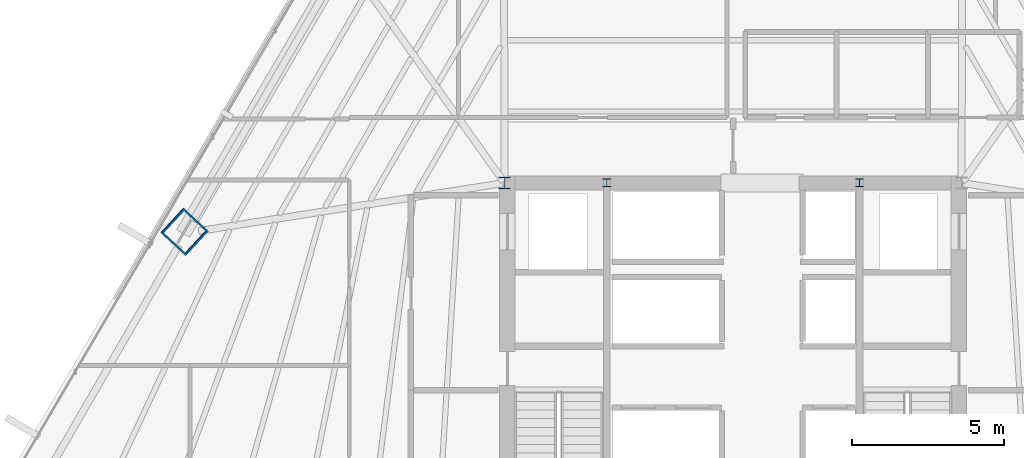
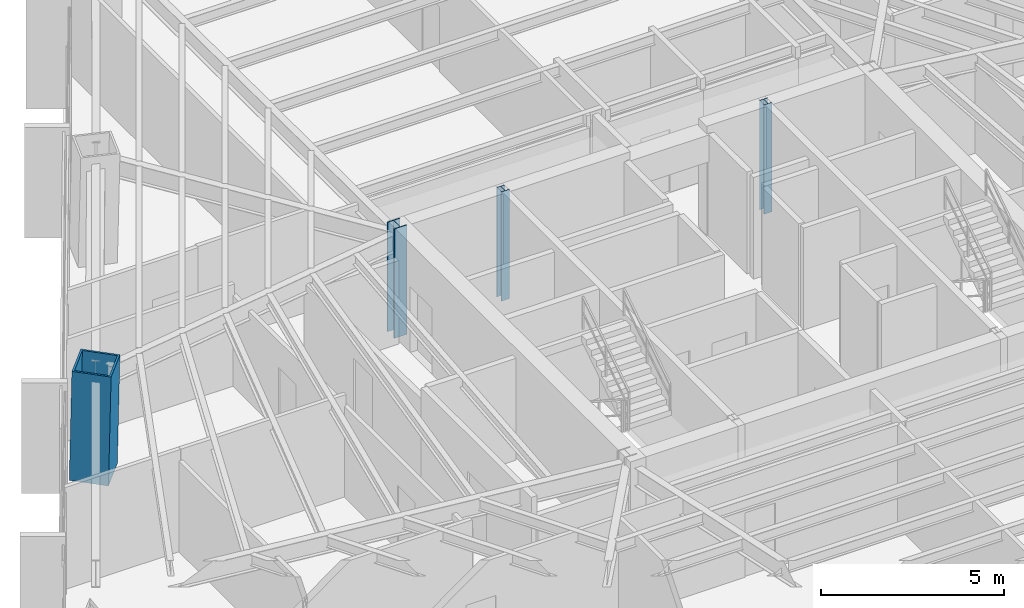
# One storey, part 2 of 35: 4 columns.
"""IFC4 building model written with IfcOpenShell, lengths in metres."""

import ifcopenshell
import ifcopenshell.guid

model = None  # the IFC model being written
_history = None  # IfcOwnerHistory: only IFC2X3 demands one
_inside = {}  # id of a spatial element -> (the spatial element, [elements in it])
_under = {}  # id of a project, library or spatial element -> (it, [spatial elements below it])
_declared = {}  # id of a project -> (the project, [libraries it declares])
_typed = {}  # id of a type object -> (the type object, [elements of that type])
_made_of = {}  # id of a material, layer set ... -> (it, [elements and type objects made of it])


def new_model(schema):
    """Start an empty IFC model of exactly this schema.

    Asked for "IFC4X3", IfcOpenShell would pick the latest addendum, in which some entities
    have other attributes; the version numbers below select the first issue.
    IFC2X3 requires an IfcOwnerHistory on every rooted entity: one is made here for all.
    """
    global model, _history
    if schema == "IFC4X3":
        model = ifcopenshell.file(schema_version=(4, 3, 0, 0))
    else:
        model = ifcopenshell.file(schema=schema)
    _inside.clear()
    _under.clear()
    _declared.clear()
    _typed.clear()
    _made_of.clear()
    _history = None
    if model.schema == "IFC2X3":
        org = make("IfcOrganization", Name="unknown")
        user = make(
            "IfcPersonAndOrganization",
            ThePerson=make("IfcPerson", FamilyName="unknown"),
            TheOrganization=org,
        )
        app = make(
            "IfcApplication",
            ApplicationDeveloper=org,
            Version="unknown",
            ApplicationFullName="unknown",
            ApplicationIdentifier="unknown",
        )
        _history = make(
            "IfcOwnerHistory",
            OwningUser=user,
            OwningApplication=app,
            ChangeAction="ADDED",
            CreationDate=0,
        )
    return model


def make(cls, **values):
    """One entity of the class cls with the attributes given. An attribute that is None is left unset."""
    return model.create_entity(
        cls, **{name: value for name, value in values.items() if value is not None}
    )


def rooted(cls, **values):
    """An entity with a GlobalId (a new one), such as an element, a storey or a relation."""
    return make(cls, GlobalId=ifcopenshell.guid.new(), OwnerHistory=_history, **values)


def si_unit(unit_type, name, prefix=None):
    """IfcSIUnit, for example si_unit("LENGTHUNIT", "METRE", prefix="MILLI")."""
    return make("IfcSIUnit", UnitType=unit_type, Prefix=prefix, Name=name)


def assignment(units):
    """IfcUnitAssignment: the units of a project."""
    return None if units is None else make("IfcUnitAssignment", Units=units)


def point(xyz):
    """IfcCartesianPoint."""
    return None if xyz is None else make("IfcCartesianPoint", Coordinates=xyz)


def direction(xyz):
    """IfcDirection."""
    return None if xyz is None else make("IfcDirection", DirectionRatios=xyz)


def frame(location, z_axis=None, x_axis=None):
    """IfcAxis2Placement3D, a coordinate frame: its origin and axes. An axis left out is left unset."""
    return make(
        "IfcAxis2Placement3D",
        Location=point(location),
        Axis=direction(z_axis),
        RefDirection=direction(x_axis),
    )


def frame_2d(location, x_axis=None):
    """IfcAxis2Placement2D, a coordinate frame in the plane: its origin and x axis."""
    return make(
        "IfcAxis2Placement2D", Location=point(location), RefDirection=direction(x_axis)
    )


def origin():
    """The frame at (0, 0, 0) with its axes left unset."""
    return frame((0.0, 0.0, 0.0))


def origin_2d():
    """The frame at (0, 0) in the plane with its x axis left unset."""
    return frame_2d((0.0, 0.0))


def place(relative_to, where):
    """IfcLocalPlacement: puts the frame where relative to a parent placement (None: the world)."""
    return make(
        "IfcLocalPlacement", PlacementRelTo=relative_to, RelativePlacement=where
    )


def context(
    kind, dimensions, precision=None, world=None, true_north=None, identifier=None
):
    """IfcGeometricRepresentationContext, for example the 3D "Model" context."""
    return make(
        "IfcGeometricRepresentationContext",
        ContextIdentifier=identifier,
        ContextType=kind,
        CoordinateSpaceDimension=dimensions,
        Precision=precision,
        WorldCoordinateSystem=world,
        TrueNorth=true_north,
    )


def subcontext(parent, identifier, kind, view, scale=None):
    """IfcGeometricRepresentationSubContext, for example "Body" below "Model"."""
    return make(
        "IfcGeometricRepresentationSubContext",
        ContextIdentifier=identifier,
        ContextType=kind,
        ParentContext=parent,
        TargetScale=scale,
        TargetView=view,
    )


def project(units=None, contexts=None):
    """IfcProject with its units and contexts."""
    return rooted(
        "IfcProject",
        Name="project",
        RepresentationContexts=contexts,
        UnitsInContext=assignment(units),
    )


def spatial(cls, under=None, at=None, **own):
    """A site, building, storey or space (cls), placed at a placement, below another one or the project."""
    s = rooted(cls, ObjectPlacement=at, **own)
    if under is not None:
        _under.setdefault(under.id(), (under, []))[1].append(s)
    return s


def profile(cls, at=None, kind="AREA", **sizes):
    """A parametric profile (cls). Its sizes go by their IFC names, for example OverallWidth=200.0."""
    return make(cls, ProfileType=kind, Position=at, **sizes)


def hollow_rectangle(**sizes):
    """IfcRectangleHollowProfileDef."""
    return profile("IfcRectangleHollowProfileDef", **sizes)


def i_section(**sizes):
    """IfcIShapeProfileDef."""
    return profile("IfcIShapeProfileDef", **sizes)


def extrude(swept, where, along, depth):
    """IfcExtrudedAreaSolid: the profile swept, set in the frame where, extruded along a direction by depth."""
    return make(
        "IfcExtrudedAreaSolid",
        SweptArea=swept,
        Position=where,
        ExtrudedDirection=direction(along),
        Depth=depth,
    )


def shape(context_of_items, identifier, shape_type, items):
    """IfcShapeRepresentation: the items that make up one representation, for example the "Body"."""
    return make(
        "IfcShapeRepresentation",
        ContextOfItems=context_of_items,
        RepresentationIdentifier=identifier,
        RepresentationType=shape_type,
        Items=items,
    )


def source(mapping_origin, context_of_items, identifier, shape_type, items):
    """IfcRepresentationMap: a shape defined once, which mapped items show again and again."""
    return make(
        "IfcRepresentationMap",
        MappingOrigin=mapping_origin,
        MappedRepresentation=shape(context_of_items, identifier, shape_type, items),
    )


def transform(
    local_origin,
    x_axis=None,
    y_axis=None,
    z_axis=None,
    scale=None,
    scale2=None,
    scale3=None,
    uniform=True,
):
    """IfcCartesianTransformationOperator3D, or its non-uniform kind. x_axis, y_axis, z_axis: its Axis1, 2, 3."""
    if uniform:
        return make(
            "IfcCartesianTransformationOperator3D",
            Axis1=direction(x_axis),
            Axis2=direction(y_axis),
            LocalOrigin=point(local_origin),
            Scale=scale,
            Axis3=direction(z_axis),
        )
    return make(
        "IfcCartesianTransformationOperator3DnonUniform",
        Axis1=direction(x_axis),
        Axis2=direction(y_axis),
        LocalOrigin=point(local_origin),
        Scale=scale,
        Axis3=direction(z_axis),
        Scale2=scale2,
        Scale3=scale3,
    )


def mapped(mapping_source, mapping_target):
    """IfcMappedItem: shows the shape of a source again, moved by a transform."""
    return make(
        "IfcMappedItem", MappingSource=mapping_source, MappingTarget=mapping_target
    )


def material(Name=None, Category=None):
    """IfcMaterial."""
    return make("IfcMaterial", Name=Name, Category=Category)


def material_profile(
    of_material, cross_section, Name=None, Category=None, Priority=None
):
    """IfcMaterialProfile: a cross section and its material."""
    return make(
        "IfcMaterialProfile",
        Name=Name,
        Material=of_material,
        Profile=cross_section,
        Priority=Priority,
        Category=Category,
    )


def profile_set(profiles, Name=None, composite=None):
    """IfcMaterialProfileSet."""
    return make(
        "IfcMaterialProfileSet",
        Name=Name,
        MaterialProfiles=profiles,
        CompositeProfile=composite,
    )


def made_of(thing, what):
    """Note that an element or type object is made of a material, layer set ...; save() writes the relation."""
    if what is not None:
        _made_of.setdefault(what.id(), (what, []))[1].append(thing)
    return thing


def type_object(cls, material=None, **own):
    """A type object (cls), such as IfcWallType, which elements share."""
    return made_of(rooted(cls, **own), material)


def type_shapes(of_type, sources):
    """Give a type object the sources (RepresentationMaps) that its elements show as mapped items."""
    of_type.RepresentationMaps = sources


def element(
    cls,
    number,
    at=None,
    inside=None,
    cuts=None,
    type_object=None,
    material=None,
    context=None,
    identifier="Body",
    shape_type=None,
    held_by="IfcProductDefinitionShape",
    body=None,
    shapes=None,
    **own,
):
    """One element of the class cls, such as IfcWall. Its Tag is "e" and its number.

    at: its placement. inside: the storey or other place that contains it. cuts: it is an
    opening in that element (IfcRelVoidsElement). A single representation is given by context,
    identifier, shape_type and body (its items); several are given by shapes. held_by: the class
    of the entity that holds the representations. save() writes the other relations.
    """
    e = rooted(cls, Tag="e%d" % number, ObjectPlacement=at, **own)
    if body is not None:
        shapes = [shape(context, identifier, shape_type, body)]
    if shapes is not None:
        e.Representation = make(held_by, Representations=shapes)
    if inside is not None:
        _inside.setdefault(inside.id(), (inside, []))[1].append(e)
    if cuts is not None:
        rooted(
            "IfcRelVoidsElement", RelatingBuildingElement=cuts, RelatedOpeningElement=e
        )
    if type_object is not None:
        _typed.setdefault(type_object.id(), (type_object, []))[1].append(e)
    return made_of(e, material)


def aggregate(whole, parts):
    """IfcRelAggregates: a whole, such as a stair, and the parts it consists of."""
    return rooted("IfcRelAggregates", RelatingObject=whole, RelatedObjects=parts)


def save(model, path):
    """Write the relations noted so far, then the file.

    IfcRelAggregates (storeys below a building ...), IfcRelContainedInSpatialStructure (elements
    in a storey), IfcRelDefinesByType, IfcRelAssociatesMaterial and IfcRelDeclares: one each for
    every whole, place, type object, material and project.
    """
    for whole, parts in _under.values():
        aggregate(whole, parts)
    for where, things in _inside.values():
        rooted(
            "IfcRelContainedInSpatialStructure",
            RelatedElements=things,
            RelatingStructure=where,
        )
    for kind, things in _typed.values():
        rooted("IfcRelDefinesByType", RelatedObjects=things, RelatingType=kind)
    for what, things in _made_of.values():
        rooted("IfcRelAssociatesMaterial", RelatedObjects=things, RelatingMaterial=what)
    for by, libraries in _declared.values():
        rooted("IfcRelDeclares", RelatingContext=by, RelatedDefinitions=libraries)
    model.write(path)


model = new_model("IFC4")

# Units and contexts
model_context = context("Model", 3, precision=1e-05, world=origin(), true_north=direction((0.0, 1.0)))
body_context = subcontext(model_context, "Body", "Model", "MODEL_VIEW")
ifc_project = project(units=[si_unit("LENGTHUNIT", "METRE"), si_unit("AREAUNIT", "SQUARE_METRE"), si_unit("VOLUMEUNIT", "CUBIC_METRE"), si_unit("PLANEANGLEUNIT", "RADIAN"), si_unit("MASSUNIT", "GRAM", prefix="KILO")], contexts=[model_context])

# Site, building, storey
site_placement = place(None, origin())
site = spatial("IfcSite", under=ifc_project, at=site_placement, CompositionType="ELEMENT")
building_placement = place(site_placement, origin())
building = spatial("IfcBuilding", under=site, at=building_placement, Name="Caelisora Broadcast Tower", CompositionType="ELEMENT")
storey_placement = place(building_placement, frame((0.0, 0.0, 98.10009765625)))
storey = spatial("IfcBuildingStorey", under=building, at=storey_placement, Name="L25", CompositionType="ELEMENT", Elevation=98.10009765625)

# Columns
ifc_material_1 = material(Name="Steel Grade 350 (AS/NZS 3679.1)", Category="steel")
ifc_material_profile_1 = material_profile(ifc_material_1, i_section(OverallWidth=0.256103515625, OverallDepth=0.260009765625, WebThickness=0.010498046875, FlangeThickness=0.017333984375, at=origin_2d()), Name="Steel Grade 350 (AS/NZS 3679.1)")
ifc_profile_set_1 = profile_set([ifc_material_profile_1], Name="Steel Grade 350 (AS/NZS 3679.1)")
column_type_1 = type_object("IfcColumnType", Name="CC05", PredefinedType="COLUMN", material=ifc_profile_set_1)
shared_shape_1 = source(origin(), body_context, "Body", "SweptSolid", [
    extrude(i_section(OverallWidth=0.256103515625, OverallDepth=0.260009765625, WebThickness=0.010498046875, FlangeThickness=0.017333984375, at=origin_2d()), origin(), (0.0, 0.0, 1.0), 3.64990234375),
])
type_shapes(column_type_1, [shared_shape_1])
for number, where, z_axis, x_axis, name in (
    (1, (33.85009765625, 30.0, 0.0), (0.0, 0.0, 1.0), (1.0, 0.0, 0.0), "L25 column CC05"),
    (2, (42.14990234375, 30.0, 0.0), (0.0, 0.0, 1.0), (1.0, 0.0, 0.0), "L25 column CC05"),
):
    element("IfcColumn", number, at=place(storey_placement, frame(where, z_axis=z_axis, x_axis=x_axis)), inside=storey, type_object=column_type_1, Name=name, PredefinedType="COLUMN", context=body_context, shape_type="MappedRepresentation", body=[
        mapped(shared_shape_1, transform((0.0, 0.0, 0.0), scale=1.0)),
    ])
ifc_material_2 = material(Name="Steel Grade 350 (AS/NZS 3679.2)", Category="steel")
ifc_material_profile_2 = material_profile(ifc_material_2, i_section(OverallWidth=0.39990234375, OverallDepth=0.39990234375, WebThickness=0.02001953125, FlangeThickness=0.031982421875, at=origin_2d()), Name="Steel Grade 350 (AS/NZS 3679.2)")
ifc_profile_set_2 = profile_set([ifc_material_profile_2], Name="Steel Grade 350 (AS/NZS 3679.2)")
column_type_2 = type_object("IfcColumnType", Name="CC02", PredefinedType="COLUMN", material=ifc_profile_set_2)
shared_shape_2 = source(origin(), body_context, "Body", "SweptSolid", [
    extrude(i_section(OverallWidth=0.39990234375, OverallDepth=0.39990234375, WebThickness=0.02001953125, FlangeThickness=0.031982421875, at=origin_2d()), origin(), (0.0, 0.0, 1.0), 3.64990234375),
])
type_shapes(column_type_2, [shared_shape_2])
column_1_placement = place(storey_placement, frame((30.5, 30.0, 0.0), z_axis=(0.0, 0.0, 1.0), x_axis=(1.0, 0.0, 0.0)))
element("IfcColumn", 3, at=column_1_placement, inside=storey, type_object=column_type_2, Name="L25 column CC02", PredefinedType="COLUMN", context=body_context, shape_type="MappedRepresentation", body=[
    mapped(shared_shape_2, transform((0.0, 0.0, 0.0), scale=1.0)),
])
ifc_material_3 = material(Name="Steel Grade 350 L15 (AS/NZS 3678)", Category="steel")
ifc_material_profile_3 = material_profile(ifc_material_3, hollow_rectangle(XDim=1.10009765625, YDim=1.10009765625, WallThickness=0.06005859375, at=origin_2d()), Name="Steel Grade 350 L15 (AS/NZS 3678)")
ifc_profile_set_3 = profile_set([ifc_material_profile_3], Name="Steel Grade 350 L15 (AS/NZS 3678)")
column_type_3 = type_object("IfcColumnType", Name="MC03", PredefinedType="COLUMN", material=ifc_profile_set_3)
shared_shape_3 = source(origin(), body_context, "Body", "SweptSolid", [
    extrude(hollow_rectangle(XDim=1.10009765625, YDim=1.10009765625, WallThickness=0.06005859375, at=origin_2d()), origin(), (0.0, 0.0, 1.0), 3.650634765625),
])
type_shapes(column_type_3, [shared_shape_3])
column_2_placement = place(storey_placement, frame((19.984619140625, 28.40380859375, 0.0), z_axis=(0.014913313399, -0.013776424037, 0.999793880369), x_axis=(0.678553674548, 0.734550822447, 0.0)))
element("IfcColumn", 4, at=column_2_placement, inside=storey, type_object=column_type_3, Name="L25 column MC03", PredefinedType="COLUMN", context=body_context, shape_type="MappedRepresentation", body=[
    mapped(shared_shape_3, transform((0.0, 0.0, 0.0), scale=1.0)),
])

save(model, "model.ifc")
